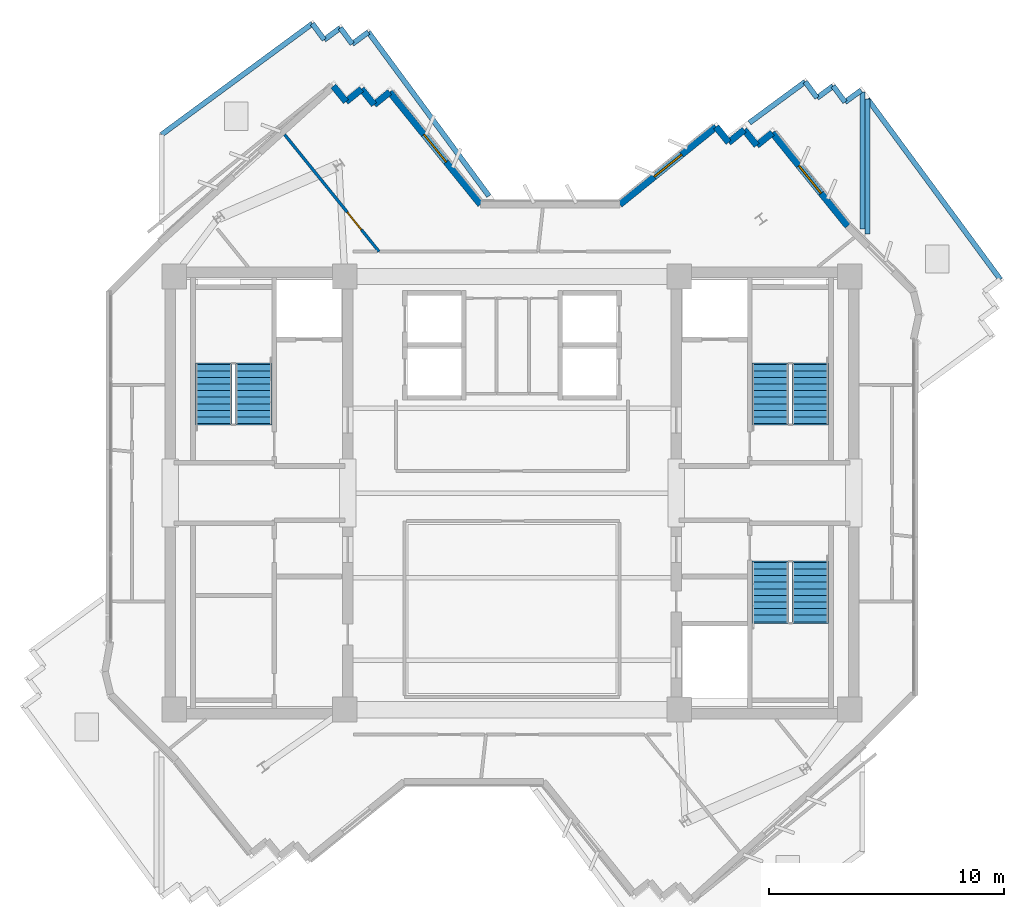
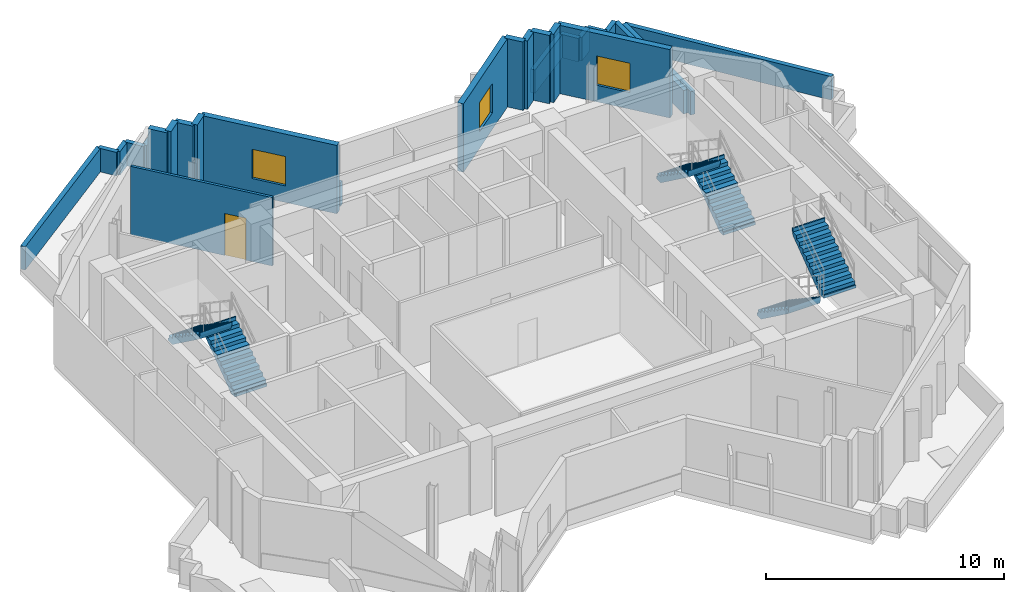
# One storey, part 10 of 12: 26 walls, 6 stair flights, 3 windows, 1 door, 4 openings, 3 elements without a shape of their own.
"""IFC4 building model written with IfcOpenShell, lengths in metres."""

from ifc_helpers import new_model, si_unit, direction, frame, frame_2d, origin, place, context, subcontext, project, spatial, polyline, rectangle, outline, extrude, source, transform, mapped, material, layer, layer_set, type_object, element, fill, aggregate, save


model = new_model("IFC4")

# Units and contexts
model_context = context("Model", 3, precision=1e-05, world=origin(), true_north=direction((0.0, 1.0)))
body_context = subcontext(model_context, "Body", "Model", "MODEL_VIEW")
ifc_project = project(units=[si_unit("LENGTHUNIT", "METRE"), si_unit("AREAUNIT", "SQUARE_METRE"), si_unit("VOLUMEUNIT", "CUBIC_METRE"), si_unit("PLANEANGLEUNIT", "RADIAN"), si_unit("MASSUNIT", "GRAM", prefix="KILO")], contexts=[model_context])

# Site, building, storey
site_placement = place(None, origin())
site = spatial("IfcSite", under=ifc_project, at=site_placement, CompositionType="ELEMENT")
building_placement = place(site_placement, origin())
building = spatial("IfcBuilding", under=site, at=building_placement, Name="Zahravan Cultural Tower", CompositionType="ELEMENT")
storey_placement = place(building_placement, frame((0.0, 0.0, 280.35009765625)))
storey = spatial("IfcBuildingStorey", under=building, at=storey_placement, Name="L67", CompositionType="ELEMENT", Elevation=280.35009765625)

# Wall, opening, window
ifc_material_1 = material(Name="Precast concrete C40/50", Category="concrete")
ifc_layer_1 = layer(ifc_material_1, 0.280029296875)
ifc_layer_set_1 = layer_set([ifc_layer_1], Name="Precast concrete C40/50")
wall_type_1 = type_object("IfcWallType", Name="EW-TC-280", PredefinedType="SOLIDWALL", material=ifc_layer_set_1)
wall_1_placement = place(storey_placement, frame((30.80419921875, 44.037353515625, 0.0), z_axis=(0.0, 0.0, 1.0), x_axis=(0.628194566809, -0.778056287316, 0.0)))
wall_1 = element("IfcWall", 1, at=wall_1_placement, inside=storey, type_object=wall_type_1, Name="L67 Exterior Masonry Frame Wall 07", PredefinedType="SOLIDWALL", context=body_context, shape_type="SweptSolid", body=[
    extrude(rectangle(XDim=6.14013671875, YDim=0.280029296875, at=frame_2d((3.070068359375, 0.0))), origin(), (0.0, 0.0, 1.0), 3.5),
])
opening_1_placement = place(wall_1_placement, frame((2.320068359375, 0.0, 0.85009765625)))
opening_1 = element("IfcOpeningElement", 2, at=opening_1_placement, cuts=wall_1, Name="Opening WN-03", PredefinedType="OPENING", context=body_context, shape_type="SweptSolid", body=[
    extrude(rectangle(XDim=1.5, YDim=1.5, at=frame_2d((0.75, 0.75))), frame((0.0, 0.14990234375, 0.0), z_axis=(0.0, -1.0, 0.0), x_axis=(1.0, 0.0, 0.0)), (0.0, 0.0, 1.0), 0.300048828125),
])
ifc_material_2 = material(Name="Low-E solar-control double glazing", Category="glass")
window_type = type_object("IfcWindowType", Name="WN-REC-1500X1500", PartitioningType="SINGLE_PANEL", PredefinedType="WINDOW", material=ifc_material_2)
shared_shape_1 = source(origin(), body_context, "Body", "SweptSolid", [
    extrude(rectangle(XDim=1.5, YDim=1.5, at=frame_2d((0.75, 0.75))), frame((0.0, 0.030029296875, 0.0), z_axis=(0.0, -1.0, 0.0), x_axis=(1.0, 0.0, 0.0)), (0.0, 0.0, 1.0), 0.06005859375),
])
window_1_placement = place(opening_1_placement, origin())
window_1 = element("IfcWindow", 3, at=window_1_placement, inside=storey, type_object=window_type, Name="L67 Recessed Solar Window 02", OverallHeight=1.5, OverallWidth=1.5, PartitioningType="SINGLE_PANEL", PredefinedType="WINDOW", context=body_context, shape_type="MappedRepresentation", body=[
    mapped(shared_shape_1, transform((0.0, 0.0, 0.0), x_axis=(1.0, 0.0, 0.0), y_axis=(0.0, 1.0, 0.0), z_axis=(0.0, 0.0, 1.0), scale=1.0)),
])
fill(opening_1, window_1)

wall_2_placement = place(storey_placement, frame((40.5830078125, 39.260009765625, 0.0), z_axis=(0.0, 0.0, 1.0), x_axis=(0.778072238875, 0.628174809342, 0.0)))
wall_2 = element("IfcWall", 4, at=wall_2_placement, inside=storey, type_object=wall_type_1, Name="L67 Exterior Masonry Frame Wall 09", PredefinedType="SOLIDWALL", context=body_context, shape_type="SweptSolid", body=[
    extrude(rectangle(XDim=5.252685546875, YDim=0.280029296875, at=frame_2d((2.62646484375, 0.0))), origin(), (0.0, 0.0, 1.0), 3.5),
])
opening_2_placement = place(wall_2_placement, frame((1.8759765625, 0.0, 0.85009765625)))
opening_2 = element("IfcOpeningElement", 5, at=opening_2_placement, cuts=wall_2, Name="Opening WN-03", PredefinedType="OPENING", context=body_context, shape_type="SweptSolid", body=[
    extrude(rectangle(XDim=1.5, YDim=1.5, at=frame_2d((0.75, 0.75))), frame((0.0, 0.14990234375, 0.0), z_axis=(0.0, -1.0, 0.0), x_axis=(1.0, 0.0, 0.0)), (0.0, 0.0, 1.0), 0.300048828125),
])
window_2_placement = place(opening_2_placement, origin())
window_2 = element("IfcWindow", 6, at=window_2_placement, inside=storey, type_object=window_type, Name="L67 Recessed Solar Window 03", OverallHeight=1.5, OverallWidth=1.5, PartitioningType="SINGLE_PANEL", PredefinedType="WINDOW", context=body_context, shape_type="MappedRepresentation", body=[
    mapped(shared_shape_1, transform((0.0, 0.0, 0.0), x_axis=(1.0, 0.0, 0.0), y_axis=(0.0, 1.0, 0.0), z_axis=(0.0, 0.0, 1.0), scale=1.0)),
])
fill(opening_2, window_2)

wall_3_placement = place(storey_placement, frame((47.060302734375, 42.3046875, 0.0), z_axis=(0.0, 0.0, 1.0), x_axis=(0.628225517447, -0.778031297075, 0.0)))
wall_3 = element("IfcWall", 7, at=wall_3_placement, inside=storey, type_object=wall_type_1, Name="L67 Exterior Masonry Frame Wall 14", PredefinedType="SOLIDWALL", context=body_context, shape_type="SweptSolid", body=[
    extrude(rectangle(XDim=5.0927734375, YDim=0.280029296875, at=frame_2d((2.54638671875, 0.0))), origin(), (0.0, 0.0, 1.0), 3.5),
])
opening_3_placement = place(wall_3_placement, frame((1.7958984375, 0.0, 0.85009765625)))
opening_3 = element("IfcOpeningElement", 8, at=opening_3_placement, cuts=wall_3, Name="Opening WN-03", PredefinedType="OPENING", context=body_context, shape_type="SweptSolid", body=[
    extrude(rectangle(XDim=1.5, YDim=1.5, at=frame_2d((0.75, 0.75))), frame((0.0, 0.14990234375, 0.0), z_axis=(0.0, -1.0, 0.0), x_axis=(1.0, 0.0, 0.0)), (0.0, 0.0, 1.0), 0.300048828125),
])
window_3_placement = place(opening_3_placement, origin())
window_3 = element("IfcWindow", 9, at=window_3_placement, inside=storey, type_object=window_type, Name="L67 Recessed Solar Window 04", OverallHeight=1.5, OverallWidth=1.5, PartitioningType="SINGLE_PANEL", PredefinedType="WINDOW", context=body_context, shape_type="MappedRepresentation", body=[
    mapped(shared_shape_1, transform((0.0, 0.0, 0.0), x_axis=(1.0, 0.0, 0.0), y_axis=(0.0, 1.0, 0.0), z_axis=(0.0, 0.0, 1.0), scale=1.0)),
])
fill(opening_3, window_3)

# Wall, opening, door
ifc_material_3 = material(Name="Gypsum plasterboard partition")
ifc_layer_2 = layer(ifc_material_3, 0.125)
ifc_layer_set_2 = layer_set([ifc_layer_2], Name="Gypsum plasterboard partition")
wall_type_2 = type_object("IfcWallType", Name="W-PART-125", PredefinedType="PARTITIONING", material=ifc_layer_set_2)
wall_4_placement = place(storey_placement, frame((26.340576171875, 42.227294921875, 0.0), z_axis=(0.0, 0.0, 1.0), x_axis=(0.628191114615, -0.778059074569, 0.0)))
wall_4 = element("IfcWall", 10, at=wall_4_placement, inside=storey, type_object=wall_type_2, Name="L67 Interior Wall 071", PredefinedType="PARTITIONING", context=body_context, shape_type="SweptSolid", body=[
    extrude(rectangle(XDim=6.38427734375, YDim=0.125, at=frame_2d((3.192138671875, 0.0))), origin(), (0.0, 0.0, 1.0), 3.5),
])
opening_4_placement = place(wall_4_placement, frame((4.238525390625, 0.0, 0.0)))
opening_4 = element("IfcOpeningElement", 11, at=opening_4_placement, cuts=wall_4, Name="Opening D-L67-25", PredefinedType="OPENING", context=body_context, shape_type="SweptSolid", body=[
    extrude(rectangle(XDim=0.949951171875, YDim=2.14990234375, at=frame_2d((0.47509765625, 1.074951171875))), frame((0.0, 0.072509765625, 0.0), z_axis=(0.0, -1.0, 0.0), x_axis=(1.0, 0.0, 0.0)), (0.0, 0.0, 1.0), 0.14501953125),
])
ifc_material_4 = material(Name="Anodised bronze-aluminium mullion", Category="aluminium")
door_type = type_object("IfcDoorType", Name="DR-ROOM-950", OperationType="NOTDEFINED", PredefinedType="DOOR", material=ifc_material_4)
shared_shape_2 = source(origin(), body_context, "Body", "SweptSolid", [
    extrude(rectangle(XDim=0.949951171875, YDim=2.14990234375, at=frame_2d((0.47509765625, 1.074951171875))), frame((0.0, 0.02490234375, 0.0), z_axis=(0.0, -1.0, 0.0), x_axis=(1.0, 0.0, 0.0)), (0.0, 0.0, 1.0), 0.050048828125),
])
door_placement = place(opening_4_placement, origin())
door = element("IfcDoor", 12, at=door_placement, inside=storey, type_object=door_type, Name="L67 Door D-L67-25", OperationType="SINGLE_SWING_RIGHT", OverallHeight=2.14990234375, OverallWidth=0.949951171875, PredefinedType="DOOR", context=body_context, shape_type="MappedRepresentation", body=[
    mapped(shared_shape_2, transform((0.0, 0.0, 0.0), x_axis=(1.0, 0.0, 0.0), y_axis=(0.0, 1.0, 0.0), z_axis=(0.0, 0.0, 1.0), scale=1.0)),
])
fill(opening_4, door)

# Walls
ifc_layer_3 = layer(ifc_material_1, 0.219970703125)
ifc_layer_set_3 = layer_set([ifc_layer_3], Name="Precast concrete C40/50")
wall_type_3 = type_object("IfcWallType", Name="EW-PARAPET-220", PredefinedType="PARAPET", material=ifc_layer_set_3)
shared_shape_3 = source(origin(), body_context, "Body", "SweptSolid", [
    extrude(rectangle(XDim=0.85009765625, YDim=0.219970703125, at=frame_2d((0.425048828125, 0.0))), origin(), (0.0, 0.0, 1.0), 1.199951171875),
])
for number, where, z_axis, x_axis, name in (
    (13, (27.5185546875, 46.94384765625, 0.0), (0.0, 0.0, 1.0), (0.592807079659, -0.80534450163, 0.0), "L67 Setback Roof Parapet 2"),
    (14, (48.45703125, 44.4736328125, 0.0), (0.0, 0.0, 1.0), (0.592807079659, -0.80534450163, 0.0), "L67 Setback Roof Parapet 2"),
    (15, (48.9609375, 43.7890625, 0.0), (0.0, 0.0, 1.0), (0.80534450163, 0.592807079659, 0.0), "L67 Setback Roof Parapet 3"),
    (16, (49.6455078125, 44.29296875, 0.0), (0.0, 0.0, 1.0), (0.592807079659, -0.80534450163, 0.0), "L67 Setback Roof Parapet 4"),
):
    element("IfcWall", number, at=place(storey_placement, frame(where, z_axis=z_axis, x_axis=x_axis)), inside=storey, type_object=wall_type_3, Name=name, PredefinedType="PARAPET", context=body_context, shape_type="MappedRepresentation", body=[
        mapped(shared_shape_3, transform((0.0, 0.0, 0.0), x_axis=(1.0, 0.0, 0.0), y_axis=(0.0, 1.0, 0.0), z_axis=(0.0, 0.0, 1.0), scale=1.0)),
    ])
shared_shape_4 = source(origin(), body_context, "Body", "SweptSolid", [
    extrude(rectangle(XDim=0.849853515625, YDim=0.219970703125, at=frame_2d((0.4248046875, 0.0))), origin(), (0.0, 0.0, 1.0), 1.199951171875),
])
for number, where, z_axis, x_axis, name in (
    (17, (28.0224609375, 46.25927734375, 0.0), (0.0, 0.0, 1.0), (0.805481622783, 0.592620751712, 0.0), "L67 Setback Roof Parapet 3"),
    (18, (28.70703125, 46.762939453125, 0.0), (0.0, 0.0, 1.0), (0.592620751712, -0.805481622783, 0.0), "L67 Setback Roof Parapet 4"),
    (19, (50.1494140625, 43.6083984375, 0.0), (0.0, 0.0, 1.0), (0.805481622783, 0.592620751712, 0.0), "L67 Setback Roof Parapet 5"),
):
    element("IfcWall", number, at=place(storey_placement, frame(where, z_axis=z_axis, x_axis=x_axis)), inside=storey, type_object=wall_type_3, Name=name, PredefinedType="PARAPET", context=body_context, shape_type="MappedRepresentation", body=[
        mapped(shared_shape_4, transform((0.0, 0.0, 0.0), x_axis=(1.0, 0.0, 0.0), y_axis=(0.0, 1.0, 0.0), z_axis=(0.0, 0.0, 1.0), scale=1.0)),
    ])
shared_shape_5 = source(origin(), body_context, "Body", "SweptSolid", [
    extrude(rectangle(XDim=0.85009765625, YDim=0.280029296875, at=frame_2d((0.425048828125, 0.0))), origin(), (0.0, 0.0, 1.0), 3.5),
])
for number, where, z_axis, x_axis, name in (
    (20, (28.41357421875, 44.2919921875, 0.0), (0.0, 0.0, 1.0), (0.628156579423, -0.778086956405, 0.0), "L67 Exterior Masonry Frame Wall 03"),
    (21, (28.947509765625, 43.630615234375, 0.0), (0.0, 0.0, 1.0), (0.777946579095, 0.628330422687, 0.0), "L67 Exterior Masonry Frame Wall 04"),
    (22, (29.60888671875, 44.164794921875, 0.0), (0.0, 0.0, 1.0), (0.628156579423, -0.778086956405, 0.0), "L67 Exterior Masonry Frame Wall 05"),
    (23, (30.142822265625, 43.50341796875, 0.0), (0.0, 0.0, 1.0), (0.778086956405, 0.628156579423, 0.0), "L67 Exterior Masonry Frame Wall 06"),
    (24, (44.669921875, 42.5595703125, 0.0), (0.0, 0.0, 1.0), (0.628156579423, -0.778086956405, 0.0), "L67 Exterior Masonry Frame Wall 10"),
    (25, (45.864990234375, 42.43212890625, 0.0), (0.0, 0.0, 1.0), (0.628330422687, -0.777946579095, 0.0), "L67 Exterior Masonry Frame Wall 12"),
):
    element("IfcWall", number, at=place(storey_placement, frame(where, z_axis=z_axis, x_axis=x_axis)), inside=storey, type_object=wall_type_1, Name=name, PredefinedType="SOLIDWALL", context=body_context, shape_type="MappedRepresentation", body=[
        mapped(shared_shape_5, transform((0.0, 0.0, 0.0), x_axis=(1.0, 0.0, 0.0), y_axis=(0.0, 1.0, 0.0), z_axis=(0.0, 0.0, 1.0), scale=1.0)),
    ])
shared_shape_6 = source(origin(), body_context, "Body", "SweptSolid", [
    extrude(rectangle(XDim=0.849853515625, YDim=0.280029296875, at=frame_2d((0.4248046875, 0.0))), origin(), (0.0, 0.0, 1.0), 3.5),
])
for number, where, z_axis, x_axis, name in (
    (26, (45.203857421875, 41.898193359375, 0.0), (0.0, 0.0, 1.0), (0.777973585776, 0.628296983786, 0.0), "L67 Exterior Masonry Frame Wall 11"),
    (27, (46.399169921875, 41.770751953125, 0.0), (0.0, 0.0, 1.0), (0.777973585776, 0.628296983786, 0.0), "L67 Exterior Masonry Frame Wall 13"),
):
    element("IfcWall", number, at=place(storey_placement, frame(where, z_axis=z_axis, x_axis=x_axis)), inside=storey, type_object=wall_type_1, Name=name, PredefinedType="SOLIDWALL", context=body_context, shape_type="MappedRepresentation", body=[
        mapped(shared_shape_6, transform((0.0, 0.0, 0.0), x_axis=(1.0, 0.0, 0.0), y_axis=(0.0, 1.0, 0.0), z_axis=(0.0, 0.0, 1.0), scale=1.0)),
    ])
shared_shape_7 = source(origin(), body_context, "Body", "SweptSolid", [
    extrude(rectangle(XDim=7.956787109375, YDim=0.219970703125, at=frame_2d((3.978515625, 0.0))), origin(), (0.0, 0.0, 1.0), 1.199951171875),
])
wall_5_placement = place(storey_placement, frame((21.110107421875, 42.2275390625, 0.0), z_axis=(0.0, 0.0, 1.0), x_axis=(0.805398118922, 0.592734232212, 0.0)))
element("IfcWall", 28, at=wall_5_placement, inside=storey, type_object=wall_type_3, Name="L67 Setback Roof Parapet 1", PredefinedType="PARAPET", context=body_context, shape_type="MappedRepresentation", body=[
    mapped(shared_shape_7, transform((0.0, 0.0, 0.0), x_axis=(1.0, 0.0, 0.0), y_axis=(0.0, 1.0, 0.0), z_axis=(0.0, 0.0, 1.0), scale=1.0)),
])
shared_shape_8 = source(origin(), body_context, "Body", "SweptSolid", [
    extrude(rectangle(XDim=0.850341796875, YDim=0.219970703125, at=frame_2d((0.42529296875, 0.0))), origin(), (0.0, 0.0, 1.0), 1.199951171875),
])
wall_6_placement = place(storey_placement, frame((29.210693359375, 46.078369140625, 0.0), z_axis=(0.0, 0.0, 1.0), x_axis=(0.805445398986, 0.592669983425, 0.0)))
element("IfcWall", 29, at=wall_6_placement, inside=storey, type_object=wall_type_3, Name="L67 Setback Roof Parapet 5", PredefinedType="PARAPET", context=body_context, shape_type="MappedRepresentation", body=[
    mapped(shared_shape_8, transform((0.0, 0.0, 0.0), x_axis=(1.0, 0.0, 0.0), y_axis=(0.0, 1.0, 0.0), z_axis=(0.0, 0.0, 1.0), scale=1.0)),
])
shared_shape_9 = source(origin(), body_context, "Body", "SweptSolid", [
    extrude(rectangle(XDim=8.644287109375, YDim=0.219970703125, at=frame_2d((4.322265625, 0.0))), origin(), (0.0, 0.0, 1.0), 1.199951171875),
])
wall_7_placement = place(storey_placement, frame((29.8955078125, 46.582275390625, 0.0), z_axis=(0.0, 0.0, 1.0), x_axis=(0.59271336893, -0.805413472877, 0.0)))
element("IfcWall", 30, at=wall_7_placement, inside=storey, type_object=wall_type_3, Name="L67 Setback Roof Parapet 6", PredefinedType="PARAPET", context=body_context, shape_type="MappedRepresentation", body=[
    mapped(shared_shape_9, transform((0.0, 0.0, 0.0), x_axis=(1.0, 0.0, 0.0), y_axis=(0.0, 1.0, 0.0), z_axis=(0.0, 0.0, 1.0), scale=1.0)),
])
shared_shape_10 = source(origin(), body_context, "Body", "SweptSolid", [
    extrude(rectangle(XDim=5.735595703125, YDim=0.219970703125, at=frame_2d((2.86767578125, 0.0))), origin(), (0.0, 0.0, 1.0), 1.199951171875),
])
wall_8_placement = place(storey_placement, frame((51.110107421875, 38.001220703125, 0.0), z_axis=(0.0, 0.0, 1.0), x_axis=(0.0, 1.0, 0.0)))
element("IfcWall", 31, at=wall_8_placement, inside=storey, type_object=wall_type_3, Name="L67 Setback Roof Parapet 7", PredefinedType="PARAPET", context=body_context, shape_type="MappedRepresentation", body=[
    mapped(shared_shape_10, transform((0.0, 0.0, 0.0), x_axis=(1.0, 0.0, 0.0), y_axis=(0.0, 1.0, 0.0), z_axis=(0.0, 0.0, 1.0), scale=1.0)),
])
shared_shape_11 = source(origin(), body_context, "Body", "SweptSolid", [
    extrude(rectangle(XDim=9.513916015625, YDim=0.219970703125, at=frame_2d((4.7568359375, 0.0))), origin(), (0.0, 0.0, 1.0), 1.199951171875),
])
wall_9_placement = place(storey_placement, frame((51.110107421875, 43.73681640625, 0.0), z_axis=(0.0, 0.0, 1.0), x_axis=(0.592724500616, -0.805405280818, 0.0)))
element("IfcWall", 32, at=wall_9_placement, inside=storey, type_object=wall_type_3, Name="L67 Setback Roof Parapet 1", PredefinedType="PARAPET", context=body_context, shape_type="MappedRepresentation", body=[
    mapped(shared_shape_11, transform((0.0, 0.0, 0.0), x_axis=(1.0, 0.0, 0.0), y_axis=(0.0, 1.0, 0.0), z_axis=(0.0, 0.0, 1.0), scale=1.0)),
])
shared_shape_12 = source(origin(), body_context, "Body", "SweptSolid", [
    extrude(rectangle(XDim=5.814697265625, YDim=0.219970703125, at=frame_2d((2.9072265625, 0.0))), origin(), (0.0, 0.0, 1.0), 1.199951171875),
])
wall_10_placement = place(storey_placement, frame((50.889892578125, 44.035888671875, 0.0), z_axis=(0.0, 0.0, 1.0), x_axis=(0.0, -1.0, 0.0)))
element("IfcWall", 33, at=wall_10_placement, inside=storey, type_object=wall_type_3, Name="L67 Setback Roof Parapet 6", PredefinedType="PARAPET", context=body_context, shape_type="MappedRepresentation", body=[
    mapped(shared_shape_12, transform((0.0, 0.0, 0.0), x_axis=(1.0, 0.0, 0.0), y_axis=(0.0, 1.0, 0.0), z_axis=(0.0, 0.0, 1.0), scale=1.0)),
])
shared_shape_13 = source(origin(), body_context, "Body", "SweptSolid", [
    extrude(rectangle(XDim=2.942138671875, YDim=0.219970703125, at=frame_2d((1.47119140625, 0.0))), origin(), (0.0, 0.0, 1.0), 1.199951171875),
])
wall_11_placement = place(storey_placement, frame((46.08740234375, 42.72998046875, 0.0), z_axis=(0.0, 0.0, 1.0), x_axis=(0.805443619549, 0.592672401692, 0.0)))
element("IfcWall", 34, at=wall_11_placement, inside=storey, type_object=wall_type_3, Name="L67 Setback Roof Parapet 1", PredefinedType="PARAPET", context=body_context, shape_type="MappedRepresentation", body=[
    mapped(shared_shape_13, transform((0.0, 0.0, 0.0), x_axis=(1.0, 0.0, 0.0), y_axis=(0.0, 1.0, 0.0), z_axis=(0.0, 0.0, 1.0), scale=1.0)),
])

# Stair, stair flights
ifc_material_5 = material(Name="Concrete C45/55", Category="concrete")
stair_type = type_object("IfcStairType", Name="STR-DL-1550-375", PredefinedType="HALF_TURN_STAIR", material=ifc_material_5)
stair_1_placement = place(storey_placement, origin())
stair_1 = element("IfcStair", 35, at=stair_1_placement, inside=storey, type_object=stair_type, Name="L67 West Core North Exit Stair ST-W1", PredefinedType="HALF_TURN_STAIR")
stair_flight_type = type_object("IfcStairFlightType", Name="FLG-DL-1550-375", PredefinedType="STRAIGHT", material=ifc_material_5)
stair_flight_1_placement = place(storey_placement, frame((25.02490234375, 29.949951171875, 0.0), z_axis=(0.0, 0.0, 1.0), x_axis=(0.0, 1.0, 0.0)))
stair_flight_1 = element("IfcStairFlight", 36, at=stair_flight_1_placement, type_object=stair_flight_type, Name="ST-W1 flight 1", NumberOfRisers=10, NumberOfTreads=9, PredefinedType="STRAIGHT", RiserHeight=0.1875, TreadLength=0.28, context=body_context, shape_type="SweptSolid", body=[
    extrude(outline(polyline([(-0.06494140625, -0.139892578125), (-0.06494140625, 0.0), (0.0, 0.0), (0.0, 0.1875), (0.280029296875, 0.1875), (0.280029296875, 0.375), (0.56005859375, 0.375), (0.56005859375, 0.5625), (0.840087890625, 0.5625), (0.840087890625, 0.75), (1.1201171875, 0.75), (1.1201171875, 0.9375), (1.39990234375, 0.9375), (1.39990234375, 1.125), (1.679931640625, 1.125), (1.679931640625, 1.3125), (1.9599609375, 1.3125), (1.9599609375, 1.5), (2.239990234375, 1.5), (2.239990234375, 1.6875), (2.52001953125, 1.6875), (2.52001953125, 1.875), (2.5849609375, 1.875), (2.5849609375, 1.72509765625), (2.52001953125, 1.507080078125), (0.26953125, -0.139892578125), (-0.06494140625, -0.139892578125)])), frame((0.0, 0.77490234375, 0.0), z_axis=(0.0, -1.0, 0.0), x_axis=(1.0, 0.0, 0.0)), (0.0, 0.0, 1.0), 1.550048828125),
])
stair_flight_2_placement = place(storey_placement, frame((23.324951171875, 32.469970703125, 1.875), z_axis=(0.0, 0.0, 1.0), x_axis=(0.0, -1.0, 0.0)))
stair_flight_2 = element("IfcStairFlight", 37, at=stair_flight_2_placement, type_object=stair_flight_type, Name="ST-W1 flight 2", NumberOfRisers=10, NumberOfTreads=9, PredefinedType="STRAIGHT", RiserHeight=0.1875, TreadLength=0.28, context=body_context, shape_type="SweptSolid", body=[
    extrude(outline(polyline([(-0.06494140625, -0.139892578125), (-0.06494140625, 0.0), (0.0, 0.0), (0.0, 0.1875), (0.280029296875, 0.1875), (0.280029296875, 0.375), (0.56005859375, 0.375), (0.56005859375, 0.5625), (0.840087890625, 0.5625), (0.840087890625, 0.75), (1.1201171875, 0.75), (1.1201171875, 0.9375), (1.39990234375, 0.9375), (1.39990234375, 1.125), (1.679931640625, 1.125), (1.679931640625, 1.3125), (1.9599609375, 1.3125), (1.9599609375, 1.5), (2.239990234375, 1.5), (2.239990234375, 1.6875), (2.52001953125, 1.6875), (2.52001953125, 1.875), (2.5849609375, 1.875), (2.5849609375, 1.72509765625), (2.52001953125, 1.507080078125), (0.26953125, -0.139892578125), (-0.06494140625, -0.139892578125)])), frame((0.0, 0.77490234375, 0.0), z_axis=(0.0, -1.0, 0.0), x_axis=(1.0, 0.0, 0.0)), (0.0, 0.0, 1.0), 1.550048828125),
])
aggregate(stair_1, [stair_flight_1, stair_flight_2])

stair_2_placement = place(storey_placement, origin())
stair_2 = element("IfcStair", 38, at=stair_2_placement, inside=storey, type_object=stair_type, Name="L67 East Core North Exit Stair ST-E1", PredefinedType="HALF_TURN_STAIR")
stair_flight_3_placement = place(storey_placement, frame((48.675048828125, 29.949951171875, 0.0), z_axis=(0.0, 0.0, 1.0), x_axis=(0.0, 1.0, 0.0)))
stair_flight_3 = element("IfcStairFlight", 39, at=stair_flight_3_placement, type_object=stair_flight_type, Name="ST-E1 flight 1", NumberOfRisers=10, NumberOfTreads=9, PredefinedType="STRAIGHT", RiserHeight=0.1875, TreadLength=0.28, context=body_context, shape_type="SweptSolid", body=[
    extrude(outline(polyline([(-0.06494140625, -0.139892578125), (-0.06494140625, 0.0), (0.0, 0.0), (0.0, 0.1875), (0.280029296875, 0.1875), (0.280029296875, 0.375), (0.56005859375, 0.375), (0.56005859375, 0.5625), (0.840087890625, 0.5625), (0.840087890625, 0.75), (1.1201171875, 0.75), (1.1201171875, 0.9375), (1.39990234375, 0.9375), (1.39990234375, 1.125), (1.679931640625, 1.125), (1.679931640625, 1.3125), (1.9599609375, 1.3125), (1.9599609375, 1.5), (2.239990234375, 1.5), (2.239990234375, 1.6875), (2.52001953125, 1.6875), (2.52001953125, 1.875), (2.5849609375, 1.875), (2.5849609375, 1.72509765625), (2.52001953125, 1.507080078125), (0.26953125, -0.139892578125), (-0.06494140625, -0.139892578125)])), frame((0.0, 0.77490234375, 0.0), z_axis=(0.0, -1.0, 0.0), x_axis=(1.0, 0.0, 0.0)), (0.0, 0.0, 1.0), 1.550048828125),
])
stair_flight_4_placement = place(storey_placement, frame((46.97509765625, 32.469970703125, 1.875), z_axis=(0.0, 0.0, 1.0), x_axis=(0.0, -1.0, 0.0)))
stair_flight_4 = element("IfcStairFlight", 40, at=stair_flight_4_placement, type_object=stair_flight_type, Name="ST-E1 flight 2", NumberOfRisers=10, NumberOfTreads=9, PredefinedType="STRAIGHT", RiserHeight=0.1875, TreadLength=0.28, context=body_context, shape_type="SweptSolid", body=[
    extrude(outline(polyline([(-0.06494140625, -0.139892578125), (-0.06494140625, 0.0), (0.0, 0.0), (0.0, 0.1875), (0.280029296875, 0.1875), (0.280029296875, 0.375), (0.56005859375, 0.375), (0.56005859375, 0.5625), (0.840087890625, 0.5625), (0.840087890625, 0.75), (1.1201171875, 0.75), (1.1201171875, 0.9375), (1.39990234375, 0.9375), (1.39990234375, 1.125), (1.679931640625, 1.125), (1.679931640625, 1.3125), (1.9599609375, 1.3125), (1.9599609375, 1.5), (2.239990234375, 1.5), (2.239990234375, 1.6875), (2.52001953125, 1.6875), (2.52001953125, 1.875), (2.5849609375, 1.875), (2.5849609375, 1.72509765625), (2.52001953125, 1.507080078125), (0.26953125, -0.139892578125), (-0.06494140625, -0.139892578125)])), frame((0.0, 0.77490234375, 0.0), z_axis=(0.0, -1.0, 0.0), x_axis=(1.0, 0.0, 0.0)), (0.0, 0.0, 1.0), 1.550048828125),
])
aggregate(stair_2, [stair_flight_3, stair_flight_4])

stair_3_placement = place(storey_placement, origin())
stair_3 = element("IfcStair", 41, at=stair_3_placement, inside=storey, type_object=stair_type, Name="L67 East Core South Exit Stair ST-E2", PredefinedType="HALF_TURN_STAIR")
stair_flight_5_placement = place(storey_placement, frame((46.97509765625, 24.050048828125, 0.0), z_axis=(0.0, 0.0, 1.0), x_axis=(0.0, -1.0, 0.0)))
stair_flight_5 = element("IfcStairFlight", 42, at=stair_flight_5_placement, type_object=stair_flight_type, Name="ST-E2 flight 1", NumberOfRisers=10, NumberOfTreads=9, PredefinedType="STRAIGHT", RiserHeight=0.1875, TreadLength=0.28, context=body_context, shape_type="SweptSolid", body=[
    extrude(outline(polyline([(-0.06494140625, -0.139892578125), (-0.06494140625, 0.0), (0.0, 0.0), (0.0, 0.1875), (0.280029296875, 0.1875), (0.280029296875, 0.375), (0.56005859375, 0.375), (0.56005859375, 0.5625), (0.840087890625, 0.5625), (0.840087890625, 0.75), (1.1201171875, 0.75), (1.1201171875, 0.9375), (1.39990234375, 0.9375), (1.39990234375, 1.125), (1.679931640625, 1.125), (1.679931640625, 1.3125), (1.9599609375, 1.3125), (1.9599609375, 1.5), (2.239990234375, 1.5), (2.239990234375, 1.6875), (2.52001953125, 1.6875), (2.52001953125, 1.875), (2.5849609375, 1.875), (2.5849609375, 1.72509765625), (2.52001953125, 1.507080078125), (0.26953125, -0.139892578125), (-0.06494140625, -0.139892578125)])), frame((0.0, 0.77490234375, 0.0), z_axis=(0.0, -1.0, 0.0), x_axis=(1.0, 0.0, 0.0)), (0.0, 0.0, 1.0), 1.550048828125),
])
stair_flight_6_placement = place(storey_placement, frame((48.675048828125, 21.530029296875, 1.875), z_axis=(0.0, 0.0, 1.0), x_axis=(0.0, 1.0, 0.0)))
stair_flight_6 = element("IfcStairFlight", 43, at=stair_flight_6_placement, type_object=stair_flight_type, Name="ST-E2 flight 2", NumberOfRisers=10, NumberOfTreads=9, PredefinedType="STRAIGHT", RiserHeight=0.1875, TreadLength=0.28, context=body_context, shape_type="SweptSolid", body=[
    extrude(outline(polyline([(-0.06494140625, -0.139892578125), (-0.06494140625, 0.0), (0.0, 0.0), (0.0, 0.1875), (0.280029296875, 0.1875), (0.280029296875, 0.375), (0.56005859375, 0.375), (0.56005859375, 0.5625), (0.840087890625, 0.5625), (0.840087890625, 0.75), (1.1201171875, 0.75), (1.1201171875, 0.9375), (1.39990234375, 0.9375), (1.39990234375, 1.125), (1.679931640625, 1.125), (1.679931640625, 1.3125), (1.9599609375, 1.3125), (1.9599609375, 1.5), (2.239990234375, 1.5), (2.239990234375, 1.6875), (2.52001953125, 1.6875), (2.52001953125, 1.875), (2.5849609375, 1.875), (2.5849609375, 1.72509765625), (2.52001953125, 1.507080078125), (0.26953125, -0.139892578125), (-0.06494140625, -0.139892578125)])), frame((0.0, 0.77490234375, 0.0), z_axis=(0.0, -1.0, 0.0), x_axis=(1.0, 0.0, 0.0)), (0.0, 0.0, 1.0), 1.550048828125),
])
aggregate(stair_3, [stair_flight_5, stair_flight_6])

save(model, "model.ifc")
